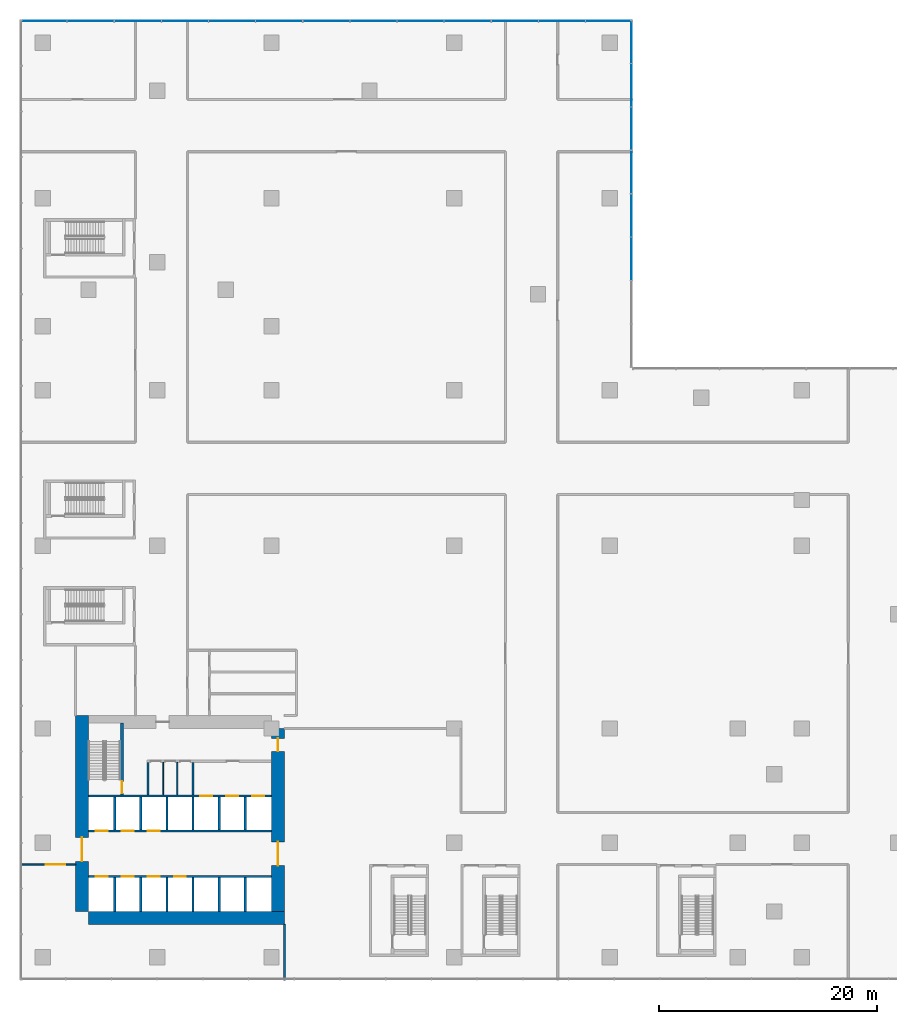
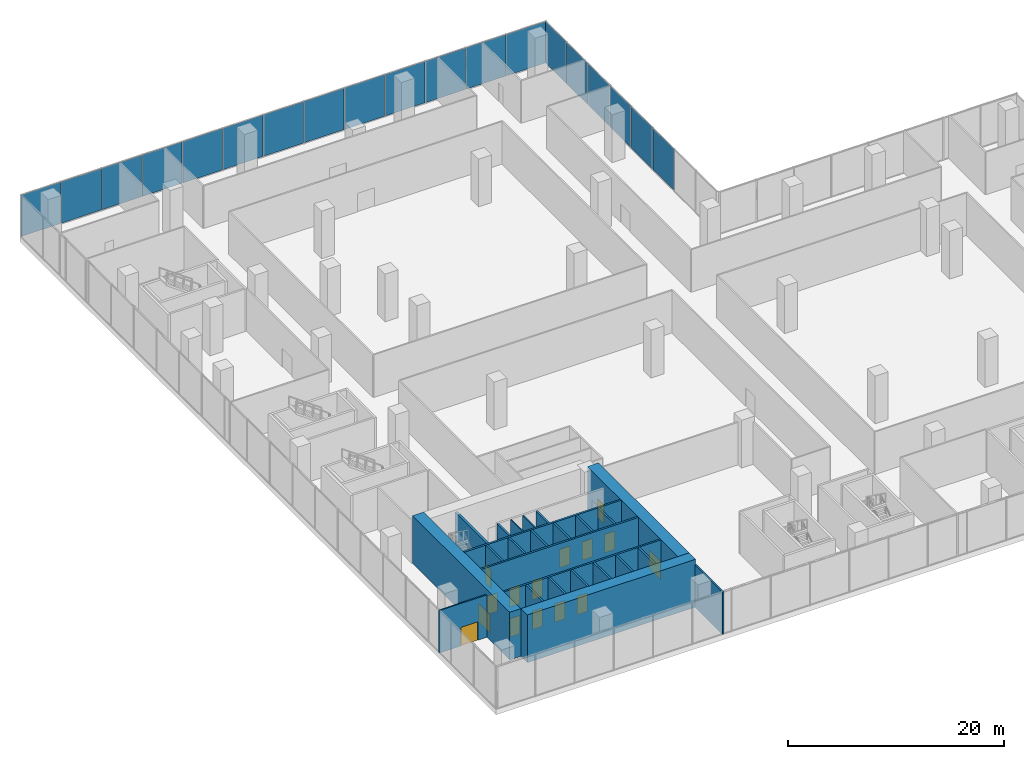
# One storey, part 12 of 22: 25 walls, 19 plates, 15 doors, 15 openings, 2 elements without a shape of their own.
"""IFC4 building model written with IfcOpenShell, lengths in metres."""

from ifc_helpers import new_model, si_unit, direction, frame, frame_2d, origin, origin_2d, place, context, subcontext, project, spatial, rectangle, extrude, source, transform, mapped, material, layer, layer_set, type_object, element, fill, aggregate, save


model = new_model("IFC4")

# Units and contexts
model_context = context("Model", 3, precision=1e-05, world=origin(), true_north=direction((0.0, 1.0)))
body_context = subcontext(model_context, "Body", "Model", "MODEL_VIEW")
ifc_project = project(units=[si_unit("LENGTHUNIT", "METRE"), si_unit("AREAUNIT", "SQUARE_METRE"), si_unit("VOLUMEUNIT", "CUBIC_METRE"), si_unit("PLANEANGLEUNIT", "RADIAN"), si_unit("MASSUNIT", "GRAM", prefix="KILO")], contexts=[model_context])

# Site, building, storey
site_placement = place(None, origin())
site = spatial("IfcSite", under=ifc_project, at=site_placement, CompositionType="ELEMENT")
building_placement = place(site_placement, origin())
building = spatial("IfcBuilding", under=site, at=building_placement, Name="Aurelian Terraces", CompositionType="ELEMENT")
storey_placement = place(building_placement, frame((0.0, 0.0, 7.5)))
storey = spatial("IfcBuildingStorey", under=building, at=storey_placement, Name="L01", CompositionType="ELEMENT", Elevation=7.5)

# Curtain wall, plates
ifc_material_1 = material(Name="Anodised aluminium and clear glazing", Category="aluminium")
ifc_layer_1 = layer(ifc_material_1, 0.2)
ifc_layer_set_1 = layer_set([ifc_layer_1], Name="Podium shopfront curtain wall")
curtain_wall_type = type_object("IfcCurtainWallType", Name="Podium shopfront curtain wall", PredefinedType="NOTDEFINED", material=ifc_layer_set_1)
curtain_wall_1_placement = place(storey_placement, origin())
curtain_wall_1 = element("IfcCurtainWall", 1, at=curtain_wall_1_placement, inside=storey, type_object=curtain_wall_type, Name="Podium shopfront L01 F05.1", PredefinedType="NOTDEFINED")
ifc_material_2 = material(Name="Clear glazing", Category="glass")
ifc_layer_2 = layer(ifc_material_2, 0.028)
ifc_layer_set_2 = layer_set([ifc_layer_2], Name="Podium shopfront glazing panel")
plate_type = type_object("IfcPlateType", Name="Podium shopfront glazing panel", PredefinedType="CURTAIN_PANEL", material=ifc_layer_set_2)
shared_shape_1 = source(origin(), body_context, "Body", "SweptSolid", [
    extrude(rectangle(XDim=4.2692, YDim=0.028, at=origin_2d()), origin(), (0.0, 0.0, 1.0), 4.68),
])
plate_1_placement = place(storey_placement, frame((47.6862, 86.0, 0.06), z_axis=(0.0, 0.0, 1.0), x_axis=(-1.0, 0.0, 0.0)))
plate_1 = element("IfcPlate", 2, at=plate_1_placement, type_object=plate_type, Name="CW1 panel 2.1", PredefinedType="CURTAIN_PANEL", context=body_context, shape_type="MappedRepresentation", body=[
    mapped(shared_shape_1, transform((0.0, 0.0, 0.0), scale=1.0)),
])
plate_2_placement = place(storey_placement, frame((43.3569, 86.0, 0.06), z_axis=(0.0, 0.0, 1.0), x_axis=(-1.0, 0.0, 0.0)))
plate_2 = element("IfcPlate", 3, at=plate_2_placement, type_object=plate_type, Name="CW1 panel 3.1", PredefinedType="CURTAIN_PANEL", context=body_context, shape_type="MappedRepresentation", body=[
    mapped(shared_shape_1, transform((0.0, 0.0, 0.0), scale=1.0)),
])
plate_3_placement = place(storey_placement, frame((39.0277, 86.0, 0.06), z_axis=(0.0, 0.0, 1.0), x_axis=(-1.0, 0.0, 0.0)))
plate_3 = element("IfcPlate", 4, at=plate_3_placement, type_object=plate_type, Name="CW1 panel 4.1", PredefinedType="CURTAIN_PANEL", context=body_context, shape_type="MappedRepresentation", body=[
    mapped(shared_shape_1, transform((0.0, 0.0, 0.0), scale=1.0)),
])
plate_4_placement = place(storey_placement, frame((34.6985, 86.0, 0.06), z_axis=(0.0, 0.0, 1.0), x_axis=(-1.0, 0.0, 0.0)))
plate_4 = element("IfcPlate", 5, at=plate_4_placement, type_object=plate_type, Name="CW1 panel 5.1", PredefinedType="CURTAIN_PANEL", context=body_context, shape_type="MappedRepresentation", body=[
    mapped(shared_shape_1, transform((0.0, 0.0, 0.0), scale=1.0)),
])
plate_5_placement = place(storey_placement, frame((30.3692, 86.0, 0.06), z_axis=(0.0, 0.0, 1.0), x_axis=(-1.0, 0.0, 0.0)))
plate_5 = element("IfcPlate", 6, at=plate_5_placement, type_object=plate_type, Name="CW1 panel 6.1", PredefinedType="CURTAIN_PANEL", context=body_context, shape_type="MappedRepresentation", body=[
    mapped(shared_shape_1, transform((0.0, 0.0, 0.0), scale=1.0)),
])
plate_6_placement = place(storey_placement, frame((26.04, 86.0, 0.06), z_axis=(0.0, 0.0, 1.0), x_axis=(-1.0, 0.0, 0.0)))
plate_6 = element("IfcPlate", 7, at=plate_6_placement, type_object=plate_type, Name="CW1 panel 7.1", PredefinedType="CURTAIN_PANEL", context=body_context, shape_type="MappedRepresentation", body=[
    mapped(shared_shape_1, transform((0.0, 0.0, 0.0), scale=1.0)),
])
plate_7_placement = place(storey_placement, frame((21.7108, 86.0, 0.06), z_axis=(0.0, 0.0, 1.0), x_axis=(-1.0, 0.0, 0.0)))
plate_7 = element("IfcPlate", 8, at=plate_7_placement, type_object=plate_type, Name="CW1 panel 8.1", PredefinedType="CURTAIN_PANEL", context=body_context, shape_type="MappedRepresentation", body=[
    mapped(shared_shape_1, transform((0.0, 0.0, 0.0), scale=1.0)),
])
plate_8_placement = place(storey_placement, frame((17.3815, 86.0, 0.06), z_axis=(0.0, 0.0, 1.0), x_axis=(-1.0, 0.0, 0.0)))
plate_8 = element("IfcPlate", 9, at=plate_8_placement, type_object=plate_type, Name="CW1 panel 9.1", PredefinedType="CURTAIN_PANEL", context=body_context, shape_type="MappedRepresentation", body=[
    mapped(shared_shape_1, transform((0.0, 0.0, 0.0), scale=1.0)),
])
plate_9_placement = place(storey_placement, frame((13.0523, 86.0, 0.06), z_axis=(0.0, 0.0, 1.0), x_axis=(-1.0, 0.0, 0.0)))
plate_9 = element("IfcPlate", 10, at=plate_9_placement, type_object=plate_type, Name="CW1 panel 10.1", PredefinedType="CURTAIN_PANEL", context=body_context, shape_type="MappedRepresentation", body=[
    mapped(shared_shape_1, transform((0.0, 0.0, 0.0), scale=1.0)),
])
plate_10_placement = place(storey_placement, frame((8.7231, 86.0, 0.06), z_axis=(0.0, 0.0, 1.0), x_axis=(-1.0, 0.0, 0.0)))
plate_10 = element("IfcPlate", 11, at=plate_10_placement, type_object=plate_type, Name="CW1 panel 11.1", PredefinedType="CURTAIN_PANEL", context=body_context, shape_type="MappedRepresentation", body=[
    mapped(shared_shape_1, transform((0.0, 0.0, 0.0), scale=1.0)),
])
plate_11_placement = place(storey_placement, frame((4.3938, 86.0, 0.06), z_axis=(0.0, 0.0, 1.0), x_axis=(-1.0, 0.0, 0.0)))
plate_11 = element("IfcPlate", 12, at=plate_11_placement, type_object=plate_type, Name="CW1 panel 12.1", PredefinedType="CURTAIN_PANEL", context=body_context, shape_type="MappedRepresentation", body=[
    mapped(shared_shape_1, transform((0.0, 0.0, 0.0), scale=1.0)),
])
shared_shape_2 = source(origin(), body_context, "Body", "SweptSolid", [
    extrude(rectangle(XDim=4.2392, YDim=0.028, at=origin_2d()), origin(), (0.0, 0.0, 1.0), 4.68),
])
plate_12_placement = place(storey_placement, frame((52.0004, 86.0, 0.06), z_axis=(0.0, 0.0, 1.0), x_axis=(-1.0, 0.0, 0.0)))
plate_12 = element("IfcPlate", 13, at=plate_12_placement, type_object=plate_type, Name="CW1 panel 1.1", PredefinedType="CURTAIN_PANEL", context=body_context, shape_type="MappedRepresentation", body=[
    mapped(shared_shape_2, transform((0.0, 0.0, 0.0), scale=1.0)),
])
plate_13_placement = place(storey_placement, frame((0.0796, 86.0, 0.06), z_axis=(0.0, 0.0, 1.0), x_axis=(-1.0, 0.0, 0.0)))
plate_13 = element("IfcPlate", 14, at=plate_13_placement, type_object=plate_type, Name="CW1 panel 13.1", PredefinedType="CURTAIN_PANEL", context=body_context, shape_type="MappedRepresentation", body=[
    mapped(shared_shape_2, transform((0.0, 0.0, 0.0), scale=1.0)),
])
aggregate(curtain_wall_1, [plate_12, plate_1, plate_2, plate_3, plate_4, plate_5, plate_6, plate_7, plate_8, plate_9, plate_10, plate_11, plate_13])

curtain_wall_2_placement = place(storey_placement, origin())
curtain_wall_2 = element("IfcCurtainWall", 15, at=curtain_wall_2_placement, inside=storey, type_object=curtain_wall_type, Name="Podium shopfront L01 F04.1", PredefinedType="NOTDEFINED")
shared_shape_3 = source(origin(), body_context, "Body", "SweptSolid", [
    extrude(rectangle(XDim=3.93, YDim=0.028, at=origin_2d()), origin(), (0.0, 0.0, 1.0), 4.68),
])
plate_14_placement = place(storey_placement, frame((54.08, 64.155, 0.06), z_axis=(0.0, 0.0, 1.0), x_axis=(0.0, 1.0, 0.0)))
plate_14 = element("IfcPlate", 16, at=plate_14_placement, type_object=plate_type, Name="CW1 panel 3.1", PredefinedType="CURTAIN_PANEL", context=body_context, shape_type="MappedRepresentation", body=[
    mapped(shared_shape_3, transform((0.0, 0.0, 0.0), scale=1.0)),
])
plate_15_placement = place(storey_placement, frame((54.08, 68.145, 0.06), z_axis=(0.0, 0.0, 1.0), x_axis=(0.0, 1.0, 0.0)))
plate_15 = element("IfcPlate", 17, at=plate_15_placement, type_object=plate_type, Name="CW1 panel 4.1", PredefinedType="CURTAIN_PANEL", context=body_context, shape_type="MappedRepresentation", body=[
    mapped(shared_shape_3, transform((0.0, 0.0, 0.0), scale=1.0)),
])
plate_16_placement = place(storey_placement, frame((54.08, 72.135, 0.06), z_axis=(0.0, 0.0, 1.0), x_axis=(0.0, 1.0, 0.0)))
plate_16 = element("IfcPlate", 18, at=plate_16_placement, type_object=plate_type, Name="CW1 panel 5.1", PredefinedType="CURTAIN_PANEL", context=body_context, shape_type="MappedRepresentation", body=[
    mapped(shared_shape_3, transform((0.0, 0.0, 0.0), scale=1.0)),
])
plate_17_placement = place(storey_placement, frame((54.08, 76.125, 0.06), z_axis=(0.0, 0.0, 1.0), x_axis=(0.0, 1.0, 0.0)))
plate_17 = element("IfcPlate", 19, at=plate_17_placement, type_object=plate_type, Name="CW1 panel 6.1", PredefinedType="CURTAIN_PANEL", context=body_context, shape_type="MappedRepresentation", body=[
    mapped(shared_shape_3, transform((0.0, 0.0, 0.0), scale=1.0)),
])
plate_18_placement = place(storey_placement, frame((54.08, 80.115, 0.06), z_axis=(0.0, 0.0, 1.0), x_axis=(0.0, 1.0, 0.0)))
plate_18 = element("IfcPlate", 20, at=plate_18_placement, type_object=plate_type, Name="CW1 panel 7.1", PredefinedType="CURTAIN_PANEL", context=body_context, shape_type="MappedRepresentation", body=[
    mapped(shared_shape_3, transform((0.0, 0.0, 0.0), scale=1.0)),
])
shared_shape_4 = source(origin(), body_context, "Body", "SweptSolid", [
    extrude(rectangle(XDim=3.9, YDim=0.028, at=origin_2d()), origin(), (0.0, 0.0, 1.0), 4.68),
])
plate_19_placement = place(storey_placement, frame((54.08, 84.09, 0.06), z_axis=(0.0, 0.0, 1.0), x_axis=(0.0, 1.0, 0.0)))
plate_19 = element("IfcPlate", 21, at=plate_19_placement, type_object=plate_type, Name="CW1 panel 8.1", PredefinedType="CURTAIN_PANEL", context=body_context, shape_type="MappedRepresentation", body=[
    mapped(shared_shape_4, transform((0.0, 0.0, 0.0), scale=1.0)),
])
aggregate(curtain_wall_2, [plate_14, plate_15, plate_16, plate_17, plate_18, plate_19])

# Wall, opening, door
ifc_material_3 = material(Name="Concrete fc' 83 MPa", Category="concrete")
ifc_layer_3 = layer(ifc_material_3, 1.2)
ifc_layer_set_3 = layer_set([ifc_layer_3], Name="CORE WALL 1200 FC83")
wall_type_1 = type_object("IfcWallType", Name="CORE WALL 1200 FC83", PredefinedType="SHEAR", material=ifc_layer_set_3)
wall_1_placement = place(storey_placement, frame((3.6, 4.2, 0.0), z_axis=(0.0, 0.0, 1.0), x_axis=(0.0, 1.0, 0.0)))
wall_1 = element("IfcWall", 22, at=wall_1_placement, inside=storey, type_object=wall_type_1, Name="Core wall W L01", PredefinedType="SHEAR", context=body_context, shape_type="SweptSolid", body=[
    extrude(rectangle(XDim=18.0, YDim=1.2, at=frame_2d((9.0, 0.0))), origin(), (0.0, 0.0, 1.0), 5.4),
])
shared_shape_5 = source(origin(), body_context, "Body", "SweptSolid", [
    extrude(rectangle(XDim=2.2, YDim=2.1, at=frame_2d((1.1, 1.05))), frame((0.0, 0.61, 0.0), z_axis=(0.0, -1.0, 0.0), x_axis=(1.0, 0.0, 0.0)), (0.0, 0.0, 1.0), 1.22),
])
opening_1_placement = place(wall_1_placement, frame((4.6, 0.0, 0.0)))
opening_1 = element("IfcOpeningElement", 23, at=opening_1_placement, cuts=wall_1, Name="Opening 60434", PredefinedType="OPENING", context=body_context, shape_type="MappedRepresentation", body=[
    mapped(shared_shape_5, transform((0.0, 0.0, 0.0), scale=1.0)),
])
ifc_material_4 = material(Name="Steel door leaf", Category="steel")
door_type_1 = type_object("IfcDoorType", Name="Core double door 2200x2100", OperationType="DOUBLE_DOOR_SINGLE_SWING", PredefinedType="DOOR", material=ifc_material_4)
shared_shape_6 = source(origin(), body_context, "Body", "SweptSolid", [
    extrude(rectangle(XDim=2.2, YDim=2.1, at=frame_2d((1.1, 1.05))), frame((0.0, 0.025, 0.0), z_axis=(0.0, -1.0, 0.0), x_axis=(1.0, 0.0, 0.0)), (0.0, 0.0, 1.0), 0.05),
])
door_1_placement = place(opening_1_placement, origin())
door_1 = element("IfcDoor", 24, at=door_1_placement, inside=storey, type_object=door_type_1, Name="Core door 60434", OperationType="DOUBLE_DOOR_SINGLE_SWING", OverallHeight=2.1, OverallWidth=2.2, PredefinedType="DOOR", context=body_context, shape_type="MappedRepresentation", body=[
    mapped(shared_shape_6, transform((0.0, 0.0, 0.0), scale=1.0)),
])
fill(opening_1, door_1)

# Wall, openings, doors
wall_2_placement = place(storey_placement, frame((21.6, 4.2, 0.0), z_axis=(0.0, 0.0, 1.0), x_axis=(0.0, 1.0, 0.0)))
wall_2 = element("IfcWall", 25, at=wall_2_placement, inside=storey, type_object=wall_type_1, Name="Core wall E L01", PredefinedType="SHEAR", context=body_context, shape_type="SweptSolid", body=[
    extrude(rectangle(XDim=16.8, YDim=1.2, at=frame_2d((8.4, 0.0))), origin(), (0.0, 0.0, 1.0), 5.4),
])
opening_2_placement = place(wall_2_placement, frame((4.2, 0.0, 0.0)))
opening_2 = element("IfcOpeningElement", 26, at=opening_2_placement, cuts=wall_2, Name="Opening 60433", PredefinedType="OPENING", context=body_context, shape_type="MappedRepresentation", body=[
    mapped(shared_shape_5, transform((0.0, 0.0, 0.0), scale=1.0)),
])
shared_shape_7 = source(origin(), body_context, "Body", "SweptSolid", [
    extrude(rectangle(XDim=1.2, YDim=2.1, at=frame_2d((0.6, 1.05))), frame((0.0, 0.61, 0.0), z_axis=(0.0, -1.0, 0.0), x_axis=(1.0, 0.0, 0.0)), (0.0, 0.0, 1.0), 1.22),
])
opening_3_placement = place(wall_2_placement, frame((14.7, 0.0, 0.0)))
opening_3 = element("IfcOpeningElement", 27, at=opening_3_placement, cuts=wall_2, Name="Opening 60436", PredefinedType="OPENING", context=body_context, shape_type="MappedRepresentation", body=[
    mapped(shared_shape_7, transform((0.0, 0.0, 0.0), scale=1.0)),
])
door_type_2 = type_object("IfcDoorType", Name="Core fire door 1200x2100 right", OperationType="SINGLE_SWING_RIGHT", PredefinedType="DOOR", material=ifc_material_4)
shared_shape_8 = source(origin(), body_context, "Body", "SweptSolid", [
    extrude(rectangle(XDim=1.2, YDim=2.1, at=frame_2d((0.6, 1.05))), frame((0.0, 0.025, 0.0), z_axis=(0.0, -1.0, 0.0), x_axis=(1.0, 0.0, 0.0)), (0.0, 0.0, 1.0), 0.05),
])
door_2_placement = place(opening_3_placement, origin())
door_2 = element("IfcDoor", 28, at=door_2_placement, inside=storey, type_object=door_type_2, Name="Core door 60436", OperationType="SINGLE_SWING_RIGHT", OverallHeight=2.1, OverallWidth=1.2, PredefinedType="DOOR", context=body_context, shape_type="MappedRepresentation", body=[
    mapped(shared_shape_8, transform((0.0, 0.0, 0.0), scale=1.0)),
])
fill(opening_3, door_2)
door_3_placement = place(opening_2_placement, origin())
door_3 = element("IfcDoor", 29, at=door_3_placement, inside=storey, type_object=door_type_1, Name="Core door 60433", OperationType="DOUBLE_DOOR_SINGLE_SWING", OverallHeight=2.1, OverallWidth=2.2, PredefinedType="DOOR", context=body_context, shape_type="MappedRepresentation", body=[
    mapped(shared_shape_6, transform((0.0, 0.0, 0.0), scale=1.0)),
])
fill(opening_2, door_3)

# Walls
ifc_material_5 = material(Name="Gypsum board on steel studs", Category="steel")
ifc_layer_4 = layer(ifc_material_5, 0.1)
ifc_layer_set_4 = layer_set([ifc_layer_4], Name="Core partition 100")
wall_type_2 = type_object("IfcWallType", Name="Core partition 100", PredefinedType="PARTITIONING", material=ifc_layer_set_4)
wall_3_placement = place(storey_placement, frame((11.05, 14.9, 0.0), z_axis=(0.0, 0.0, 1.0), x_axis=(0.0, 1.0, 0.0)))
element("IfcWall", 30, at=wall_3_placement, inside=storey, type_object=wall_type_2, Name="L01 core wall CP-SV1", PredefinedType="PARTITIONING", context=body_context, shape_type="SweptSolid", body=[
    extrude(rectangle(XDim=3.0, YDim=0.1, at=frame_2d((1.5, 0.0))), origin(), (0.0, 0.0, 1.0), 4.8),
])
ifc_layer_5 = layer(ifc_material_5, 0.2)
ifc_layer_set_5 = layer_set([ifc_layer_5], Name="Core partition 200")
wall_type_3 = type_object("IfcWallType", Name="Core partition 200", PredefinedType="PARTITIONING", material=ifc_layer_set_5)
wall_4_placement = place(storey_placement, frame((9.65, 14.9, 0.0), z_axis=(0.0, 0.0, 1.0), x_axis=(0.0, 1.0, 0.0)))
element("IfcWall", 31, at=wall_4_placement, inside=storey, type_object=wall_type_3, Name="L01 core wall CP-VEST", PredefinedType="PARTITIONING", context=body_context, shape_type="SweptSolid", body=[
    extrude(rectangle(XDim=3.0, YDim=0.2, at=frame_2d((1.5, 0.0))), origin(), (0.0, 0.0, 1.0), 4.8),
])
ifc_material_6 = material(Name="Concrete fc' 40 MPa", Category="concrete")
ifc_layer_6 = layer(ifc_material_6, 0.2)
ifc_layer_set_6 = layer_set([ifc_layer_6], Name="Lift shaft wall 200")
wall_type_4 = type_object("IfcWallType", Name="Lift shaft wall 200", PredefinedType="SOLIDWALL", material=ifc_layer_set_6)
wall_5_placement = place(storey_placement, frame((6.6, 4.2, 0.0), z_axis=(0.0, 0.0, 1.0), x_axis=(0.0, 1.0, 0.0)))
element("IfcWall", 32, at=wall_5_placement, inside=storey, type_object=wall_type_4, Name="L01 core wall CD-A1", PredefinedType="SOLIDWALL", context=body_context, shape_type="SweptSolid", body=[
    extrude(rectangle(XDim=3.1, YDim=0.2, at=frame_2d((1.55, 0.0))), origin(), (0.0, 0.0, 1.0), 5.4),
])
wall_6_placement = place(storey_placement, frame((6.6, 11.7, 0.0), z_axis=(0.0, 0.0, 1.0), x_axis=(0.0, 1.0, 0.0)))
element("IfcWall", 33, at=wall_6_placement, inside=storey, type_object=wall_type_4, Name="L01 core wall CD-B1", PredefinedType="SOLIDWALL", context=body_context, shape_type="SweptSolid", body=[
    extrude(rectangle(XDim=3.0, YDim=0.2, at=frame_2d((1.5, 0.0))), origin(), (0.0, 0.0, 1.0), 5.4),
])

# Wall, openings, doors
wall_7_placement = place(storey_placement, frame((4.2, 7.4, 0.0), z_axis=(0.0, 0.0, 1.0), x_axis=(1.0, 0.0, 0.0)))
wall_7 = element("IfcWall", 34, at=wall_7_placement, inside=storey, type_object=wall_type_4, Name="L01 core wall CF-AF1", PredefinedType="SOLIDWALL", context=body_context, shape_type="SweptSolid", body=[
    extrude(rectangle(XDim=16.8, YDim=0.2, at=frame_2d((8.4, 0.0))), origin(), (0.0, 0.0, 1.0), 5.4),
])
shared_shape_9 = source(origin(), body_context, "Body", "SweptSolid", [
    extrude(rectangle(XDim=1.1, YDim=2.1, at=frame_2d((0.55, 1.05))), frame((0.0, 0.11, 0.0), z_axis=(0.0, -1.0, 0.0), x_axis=(1.0, 0.0, 0.0)), (0.0, 0.0, 1.0), 0.22),
])
opening_4_placement = place(wall_7_placement, frame((0.65, 0.0, 0.0)))
opening_4 = element("IfcOpeningElement", 35, at=opening_4_placement, cuts=wall_7, Name="Opening 60400", PredefinedType="OPENING", context=body_context, shape_type="MappedRepresentation", body=[
    mapped(shared_shape_9, transform((0.0, 0.0, 0.0), scale=1.0)),
])
opening_5_placement = place(wall_7_placement, frame((3.05, 0.0, 0.0)))
opening_5 = element("IfcOpeningElement", 36, at=opening_5_placement, cuts=wall_7, Name="Opening 60401", PredefinedType="OPENING", context=body_context, shape_type="MappedRepresentation", body=[
    mapped(shared_shape_9, transform((0.0, 0.0, 0.0), scale=1.0)),
])
opening_6_placement = place(wall_7_placement, frame((5.45, 0.0, 0.0)))
opening_6 = element("IfcOpeningElement", 37, at=opening_6_placement, cuts=wall_7, Name="Opening 60402", PredefinedType="OPENING", context=body_context, shape_type="MappedRepresentation", body=[
    mapped(shared_shape_9, transform((0.0, 0.0, 0.0), scale=1.0)),
])
opening_7_placement = place(wall_7_placement, frame((7.85, 0.0, 0.0)))
opening_7 = element("IfcOpeningElement", 38, at=opening_7_placement, cuts=wall_7, Name="Opening 60403", PredefinedType="OPENING", context=body_context, shape_type="MappedRepresentation", body=[
    mapped(shared_shape_9, transform((0.0, 0.0, 0.0), scale=1.0)),
])
ifc_material_7 = material(Name="Stainless steel", Category="steel")
door_type_3 = type_object("IfcDoorType", Name="Lift landing door 1100x2100", OperationType="SLIDING_TO_LEFT", PredefinedType="DOOR", material=ifc_material_7)
shared_shape_10 = source(origin(), body_context, "Body", "SweptSolid", [
    extrude(rectangle(XDim=1.1, YDim=2.1, at=frame_2d((0.55, 1.05))), frame((0.0, 0.025, 0.0), z_axis=(0.0, -1.0, 0.0), x_axis=(1.0, 0.0, 0.0)), (0.0, 0.0, 1.0), 0.05),
])
door_4_placement = place(opening_4_placement, origin())
door_4 = element("IfcDoor", 39, at=door_4_placement, inside=storey, type_object=door_type_3, Name="Lift landing door LL1 L01", OperationType="SLIDING_TO_LEFT", OverallHeight=2.1, OverallWidth=1.1, PredefinedType="DOOR", context=body_context, shape_type="MappedRepresentation", body=[
    mapped(shared_shape_10, transform((0.0, 0.0, 0.0), scale=1.0)),
])
fill(opening_4, door_4)
door_5_placement = place(opening_5_placement, origin())
door_5 = element("IfcDoor", 40, at=door_5_placement, inside=storey, type_object=door_type_3, Name="Lift landing door LL2 L01", OperationType="SLIDING_TO_LEFT", OverallHeight=2.1, OverallWidth=1.1, PredefinedType="DOOR", context=body_context, shape_type="MappedRepresentation", body=[
    mapped(shared_shape_10, transform((0.0, 0.0, 0.0), scale=1.0)),
])
fill(opening_5, door_5)
door_6_placement = place(opening_6_placement, origin())
door_6 = element("IfcDoor", 41, at=door_6_placement, inside=storey, type_object=door_type_3, Name="Lift landing door LL3 L01", OperationType="SLIDING_TO_LEFT", OverallHeight=2.1, OverallWidth=1.1, PredefinedType="DOOR", context=body_context, shape_type="MappedRepresentation", body=[
    mapped(shared_shape_10, transform((0.0, 0.0, 0.0), scale=1.0)),
])
fill(opening_6, door_6)
door_7_placement = place(opening_7_placement, origin())
door_7 = element("IfcDoor", 42, at=door_7_placement, inside=storey, type_object=door_type_3, Name="Lift landing door LL4 L01", OperationType="SLIDING_TO_LEFT", OverallHeight=2.1, OverallWidth=1.1, PredefinedType="DOOR", context=body_context, shape_type="MappedRepresentation", body=[
    mapped(shared_shape_10, transform((0.0, 0.0, 0.0), scale=1.0)),
])
fill(opening_7, door_7)

# Wall, opening, door
ifc_layer_7 = layer(ifc_material_5, 0.15)
ifc_layer_set_7 = layer_set([ifc_layer_7], Name="Special partition 150")
wall_type_5 = type_object("IfcWallType", Name="Special partition 150", PredefinedType="PARTITIONING", material=ifc_layer_set_7)
wall_8_placement = place(storey_placement, frame((-2.1, 8.5, 0.0), z_axis=(0.0, 0.0, 1.0), x_axis=(1.0, 0.0, 0.0)))
wall_8 = element("IfcWall", 43, at=wall_8_placement, inside=storey, type_object=wall_type_5, Name="L01 partition W01", PredefinedType="PARTITIONING", context=body_context, shape_type="SweptSolid", body=[
    extrude(rectangle(XDim=5.1, YDim=0.15, at=frame_2d((2.55, 0.0))), origin(), (0.0, 0.0, 1.0), 4.8),
])
shared_shape_11 = source(origin(), body_context, "Body", "SweptSolid", [
    extrude(rectangle(XDim=1.8, YDim=2.1, at=frame_2d((0.9, 1.05))), frame((0.0, 0.085, 0.0), z_axis=(0.0, -1.0, 0.0), x_axis=(1.0, 0.0, 0.0)), (0.0, 0.0, 1.0), 0.17),
])
opening_8_placement = place(wall_8_placement, frame((2.35, 0.0, 0.0)))
opening_8 = element("IfcOpeningElement", 44, at=opening_8_placement, cuts=wall_8, Name="Opening 70401", PredefinedType="OPENING", context=body_context, shape_type="MappedRepresentation", body=[
    mapped(shared_shape_11, transform((0.0, 0.0, 0.0), scale=1.0)),
])
ifc_material_8 = material(Name="Timber door leaf", Category="wood")
door_type_4 = type_object("IfcDoorType", Name="Special double door 1800x2100", OperationType="DOUBLE_DOOR_SINGLE_SWING", PredefinedType="DOOR", material=ifc_material_8)
shared_shape_12 = source(origin(), body_context, "Body", "SweptSolid", [
    extrude(rectangle(XDim=1.8, YDim=2.1, at=frame_2d((0.9, 1.05))), frame((0.0, 0.025, 0.0), z_axis=(0.0, -1.0, 0.0), x_axis=(1.0, 0.0, 0.0)), (0.0, 0.0, 1.0), 0.05),
])
door_8_placement = place(opening_8_placement, origin())
door_8 = element("IfcDoor", 45, at=door_8_placement, inside=storey, type_object=door_type_4, Name="Door 70401", OperationType="DOUBLE_DOOR_SINGLE_SWING", OverallHeight=2.1, OverallWidth=1.8, PredefinedType="DOOR", context=body_context, shape_type="MappedRepresentation", body=[
    mapped(shared_shape_12, transform((0.0, 0.0, 0.0), scale=1.0)),
])
fill(opening_8, door_8)

ifc_layer_8 = layer(ifc_material_6, 0.25)
ifc_layer_set_8 = layer_set([ifc_layer_8], Name="Stair enclosure wall 250")
wall_type_6 = type_object("IfcWallType", Name="Stair enclosure wall 250", PredefinedType="SOLIDWALL", material=ifc_layer_set_8)
wall_9_placement = place(storey_placement, frame((7.275, 14.9, 0.0), z_axis=(0.0, 0.0, 1.0), x_axis=(0.0, 1.0, 0.0)))
wall_9 = element("IfcWall", 46, at=wall_9_placement, inside=storey, type_object=wall_type_6, Name="L01 core wall ST-S1-E", PredefinedType="SOLIDWALL", context=body_context, shape_type="SweptSolid", body=[
    extrude(rectangle(XDim=6.6, YDim=0.25, at=frame_2d((3.3, 0.0))), origin(), (0.0, 0.0, 1.0), 4.8),
])
shared_shape_13 = source(origin(), body_context, "Body", "SweptSolid", [
    extrude(rectangle(XDim=1.1, YDim=2.1, at=frame_2d((0.55, 1.05))), frame((0.0, 0.135, 0.0), z_axis=(0.0, -1.0, 0.0), x_axis=(1.0, 0.0, 0.0)), (0.0, 0.0, 1.0), 0.27),
])
opening_9_placement = place(wall_9_placement, frame((0.15, 0.0, 0.0)))
opening_9 = element("IfcOpeningElement", 47, at=opening_9_placement, cuts=wall_9, Name="Opening 60410", PredefinedType="OPENING", context=body_context, shape_type="MappedRepresentation", body=[
    mapped(shared_shape_13, transform((0.0, 0.0, 0.0), scale=1.0)),
])
door_type_5 = type_object("IfcDoorType", Name="Core fire door 1100x2100", OperationType="SINGLE_SWING_LEFT", PredefinedType="DOOR", material=ifc_material_4)
door_9_placement = place(opening_9_placement, origin())
door_9 = element("IfcDoor", 48, at=door_9_placement, inside=storey, type_object=door_type_5, Name="Stair door 60410", OperationType="SINGLE_SWING_LEFT", OverallHeight=2.1, OverallWidth=1.1, PredefinedType="DOOR", context=body_context, shape_type="MappedRepresentation", body=[
    mapped(shared_shape_10, transform((0.0, 0.0, 0.0), scale=1.0)),
])
fill(opening_9, door_9)

# Walls
shared_shape_14 = source(origin(), body_context, "Body", "SweptSolid", [
    extrude(rectangle(XDim=18.0, YDim=1.2, at=frame_2d((9.0, 0.0))), origin(), (0.0, 0.0, 1.0), 5.4),
])
wall_10_placement = place(storey_placement, frame((4.2, 3.6, 0.0), z_axis=(0.0, 0.0, 1.0), x_axis=(1.0, 0.0, 0.0)))
element("IfcWall", 49, at=wall_10_placement, inside=storey, type_object=wall_type_1, Name="Core wall S L01", PredefinedType="SHEAR", context=body_context, shape_type="MappedRepresentation", body=[
    mapped(shared_shape_14, transform((0.0, 0.0, 0.0), scale=1.0)),
])
shared_shape_15 = source(origin(), body_context, "Body", "SweptSolid", [
    extrude(rectangle(XDim=3.1, YDim=0.2, at=frame_2d((1.55, 0.0))), origin(), (0.0, 0.0, 1.0), 5.4),
])
for number, where, z_axis, x_axis, name in (
    (50, (9.0, 4.2, 0.0), (0.0, 0.0, 1.0), (0.0, 1.0, 0.0), "L01 core wall CD-A2"),
    (51, (11.4, 4.2, 0.0), (0.0, 0.0, 1.0), (0.0, 1.0, 0.0), "L01 core wall CD-A3"),
    (52, (13.8, 4.2, 0.0), (0.0, 0.0, 1.0), (0.0, 1.0, 0.0), "L01 core wall CD-A4"),
    (53, (16.2, 4.2, 0.0), (0.0, 0.0, 1.0), (0.0, 1.0, 0.0), "L01 core wall CD-A5"),
    (54, (18.6, 4.2, 0.0), (0.0, 0.0, 1.0), (0.0, 1.0, 0.0), "L01 core wall CD-A6"),
):
    element("IfcWall", number, at=place(storey_placement, frame(where, z_axis=z_axis, x_axis=x_axis)), inside=storey, type_object=wall_type_4, Name=name, PredefinedType="SOLIDWALL", context=body_context, shape_type="MappedRepresentation", body=[
        mapped(shared_shape_15, transform((0.0, 0.0, 0.0), scale=1.0)),
    ])
shared_shape_16 = source(origin(), body_context, "Body", "SweptSolid", [
    extrude(rectangle(XDim=3.0, YDim=0.2, at=frame_2d((1.5, 0.0))), origin(), (0.0, 0.0, 1.0), 5.4),
])
for number, where, z_axis, x_axis, name in (
    (55, (9.0, 11.7, 0.0), (0.0, 0.0, 1.0), (0.0, 1.0, 0.0), "L01 core wall CD-B2"),
    (56, (11.4, 11.7, 0.0), (0.0, 0.0, 1.0), (0.0, 1.0, 0.0), "L01 core wall CD-B3"),
    (57, (13.8, 11.7, 0.0), (0.0, 0.0, 1.0), (0.0, 1.0, 0.0), "L01 core wall CD-B4"),
    (58, (16.2, 11.7, 0.0), (0.0, 0.0, 1.0), (0.0, 1.0, 0.0), "L01 core wall CD-B5"),
    (59, (18.6, 11.7, 0.0), (0.0, 0.0, 1.0), (0.0, 1.0, 0.0), "L01 core wall CD-B6"),
):
    element("IfcWall", number, at=place(storey_placement, frame(where, z_axis=z_axis, x_axis=x_axis)), inside=storey, type_object=wall_type_4, Name=name, PredefinedType="SOLIDWALL", context=body_context, shape_type="MappedRepresentation", body=[
        mapped(shared_shape_16, transform((0.0, 0.0, 0.0), scale=1.0)),
    ])

# Wall, openings, doors
shared_shape_17 = source(origin(), body_context, "Body", "SweptSolid", [
    extrude(rectangle(XDim=16.8, YDim=0.2, at=frame_2d((8.4, 0.0))), origin(), (0.0, 0.0, 1.0), 5.4),
])
wall_11_placement = place(storey_placement, frame((4.2, 11.6, 0.0), z_axis=(0.0, 0.0, 1.0), x_axis=(1.0, 0.0, 0.0)))
wall_11 = element("IfcWall", 60, at=wall_11_placement, inside=storey, type_object=wall_type_4, Name="L01 core wall CF-BF1", PredefinedType="SOLIDWALL", context=body_context, shape_type="MappedRepresentation", body=[
    mapped(shared_shape_17, transform((0.0, 0.0, 0.0), scale=1.0)),
])
opening_10_placement = place(wall_11_placement, frame((0.65, 0.0, 0.0)))
opening_10 = element("IfcOpeningElement", 61, at=opening_10_placement, cuts=wall_11, Name="Opening 60404", PredefinedType="OPENING", context=body_context, shape_type="MappedRepresentation", body=[
    mapped(shared_shape_9, transform((0.0, 0.0, 0.0), scale=1.0)),
])
opening_11_placement = place(wall_11_placement, frame((3.05, 0.0, 0.0)))
opening_11 = element("IfcOpeningElement", 62, at=opening_11_placement, cuts=wall_11, Name="Opening 60405", PredefinedType="OPENING", context=body_context, shape_type="MappedRepresentation", body=[
    mapped(shared_shape_9, transform((0.0, 0.0, 0.0), scale=1.0)),
])
opening_12_placement = place(wall_11_placement, frame((5.45, 0.0, 0.0)))
opening_12 = element("IfcOpeningElement", 63, at=opening_12_placement, cuts=wall_11, Name="Opening 60406", PredefinedType="OPENING", context=body_context, shape_type="MappedRepresentation", body=[
    mapped(shared_shape_9, transform((0.0, 0.0, 0.0), scale=1.0)),
])
door_10_placement = place(opening_10_placement, origin())
door_10 = element("IfcDoor", 64, at=door_10_placement, inside=storey, type_object=door_type_3, Name="Lift landing door LL5 L01", OperationType="SLIDING_TO_LEFT", OverallHeight=2.1, OverallWidth=1.1, PredefinedType="DOOR", context=body_context, shape_type="MappedRepresentation", body=[
    mapped(shared_shape_10, transform((0.0, 0.0, 0.0), scale=1.0)),
])
fill(opening_10, door_10)
door_11_placement = place(opening_11_placement, origin())
door_11 = element("IfcDoor", 65, at=door_11_placement, inside=storey, type_object=door_type_3, Name="Lift landing door LL6 L01", OperationType="SLIDING_TO_LEFT", OverallHeight=2.1, OverallWidth=1.1, PredefinedType="DOOR", context=body_context, shape_type="MappedRepresentation", body=[
    mapped(shared_shape_10, transform((0.0, 0.0, 0.0), scale=1.0)),
])
fill(opening_11, door_11)
door_12_placement = place(opening_12_placement, origin())
door_12 = element("IfcDoor", 66, at=door_12_placement, inside=storey, type_object=door_type_3, Name="Lift landing door LL7 L01", OperationType="SLIDING_TO_LEFT", OverallHeight=2.1, OverallWidth=1.1, PredefinedType="DOOR", context=body_context, shape_type="MappedRepresentation", body=[
    mapped(shared_shape_10, transform((0.0, 0.0, 0.0), scale=1.0)),
])
fill(opening_12, door_12)

wall_12_placement = place(storey_placement, frame((4.2, 14.8, 0.0), z_axis=(0.0, 0.0, 1.0), x_axis=(1.0, 0.0, 0.0)))
wall_12 = element("IfcWall", 67, at=wall_12_placement, inside=storey, type_object=wall_type_4, Name="L01 core wall CF-BB1", PredefinedType="SOLIDWALL", context=body_context, shape_type="MappedRepresentation", body=[
    mapped(shared_shape_17, transform((0.0, 0.0, 0.0), scale=1.0)),
])
opening_13_placement = place(wall_12_placement, frame((10.25, 0.0, 0.0)))
opening_13 = element("IfcOpeningElement", 68, at=opening_13_placement, cuts=wall_12, Name="Opening 60407", PredefinedType="OPENING", context=body_context, shape_type="MappedRepresentation", body=[
    mapped(shared_shape_9, transform((0.0, 0.0, 0.0), scale=1.0)),
])
opening_14_placement = place(wall_12_placement, frame((12.65, 0.0, 0.0)))
opening_14 = element("IfcOpeningElement", 69, at=opening_14_placement, cuts=wall_12, Name="Opening 60408", PredefinedType="OPENING", context=body_context, shape_type="MappedRepresentation", body=[
    mapped(shared_shape_9, transform((0.0, 0.0, 0.0), scale=1.0)),
])
opening_15_placement = place(wall_12_placement, frame((15.05, 0.0, 0.0)))
opening_15 = element("IfcOpeningElement", 70, at=opening_15_placement, cuts=wall_12, Name="Opening 60409", PredefinedType="OPENING", context=body_context, shape_type="MappedRepresentation", body=[
    mapped(shared_shape_9, transform((0.0, 0.0, 0.0), scale=1.0)),
])
door_13_placement = place(opening_13_placement, origin())
door_13 = element("IfcDoor", 71, at=door_13_placement, inside=storey, type_object=door_type_3, Name="Lift landing door F1 L01", OperationType="SLIDING_TO_LEFT", OverallHeight=2.1, OverallWidth=1.1, PredefinedType="DOOR", context=body_context, shape_type="MappedRepresentation", body=[
    mapped(shared_shape_10, transform((0.0, 0.0, 0.0), scale=1.0)),
])
fill(opening_13, door_13)
door_14_placement = place(opening_14_placement, origin())
door_14 = element("IfcDoor", 72, at=door_14_placement, inside=storey, type_object=door_type_3, Name="Lift landing door F2 L01", OperationType="SLIDING_TO_LEFT", OverallHeight=2.1, OverallWidth=1.1, PredefinedType="DOOR", context=body_context, shape_type="MappedRepresentation", body=[
    mapped(shared_shape_10, transform((0.0, 0.0, 0.0), scale=1.0)),
])
fill(opening_14, door_14)
door_15_placement = place(opening_15_placement, origin())
door_15 = element("IfcDoor", 73, at=door_15_placement, inside=storey, type_object=door_type_3, Name="Lift landing door F3 L01", OperationType="SLIDING_TO_LEFT", OverallHeight=2.1, OverallWidth=1.1, PredefinedType="DOOR", context=body_context, shape_type="MappedRepresentation", body=[
    mapped(shared_shape_10, transform((0.0, 0.0, 0.0), scale=1.0)),
])
fill(opening_15, door_15)

# Walls
shared_shape_18 = source(origin(), body_context, "Body", "SweptSolid", [
    extrude(rectangle(XDim=3.0, YDim=0.2, at=frame_2d((1.5, 0.0))), origin(), (0.0, 0.0, 1.0), 4.8),
])
wall_13_placement = place(storey_placement, frame((13.8, 14.9, 0.0), z_axis=(0.0, 0.0, 1.0), x_axis=(0.0, 1.0, 0.0)))
element("IfcWall", 74, at=wall_13_placement, inside=storey, type_object=wall_type_3, Name="L01 core wall CP-FFL", PredefinedType="PARTITIONING", context=body_context, shape_type="MappedRepresentation", body=[
    mapped(shared_shape_18, transform((0.0, 0.0, 0.0), scale=1.0)),
])
shared_shape_19 = source(origin(), body_context, "Body", "SweptSolid", [
    extrude(rectangle(XDim=3.0, YDim=0.1, at=frame_2d((1.5, 0.0))), origin(), (0.0, 0.0, 1.0), 4.8),
])
wall_14_placement = place(storey_placement, frame((12.35, 14.9, 0.0), z_axis=(0.0, 0.0, 1.0), x_axis=(0.0, 1.0, 0.0)))
element("IfcWall", 75, at=wall_14_placement, inside=storey, type_object=wall_type_2, Name="L01 core wall CP-SV2", PredefinedType="PARTITIONING", context=body_context, shape_type="MappedRepresentation", body=[
    mapped(shared_shape_19, transform((0.0, 0.0, 0.0), scale=1.0)),
])
shared_shape_20 = source(origin(), body_context, "Body", "SweptSolid", [
    extrude(rectangle(XDim=5.1, YDim=0.15, at=frame_2d((2.55, 0.0))), origin(), (0.0, 0.0, 1.0), 4.8),
])
wall_15_placement = place(storey_placement, frame((22.2, -2.1, 0.0), z_axis=(0.0, 0.0, 1.0), x_axis=(0.0, 1.0, 0.0)))
element("IfcWall", 76, at=wall_15_placement, inside=storey, type_object=wall_type_5, Name="L01 partition W35", PredefinedType="PARTITIONING", context=body_context, shape_type="MappedRepresentation", body=[
    mapped(shared_shape_20, transform((0.0, 0.0, 0.0), scale=1.0)),
])

save(model, "model.ifc")
